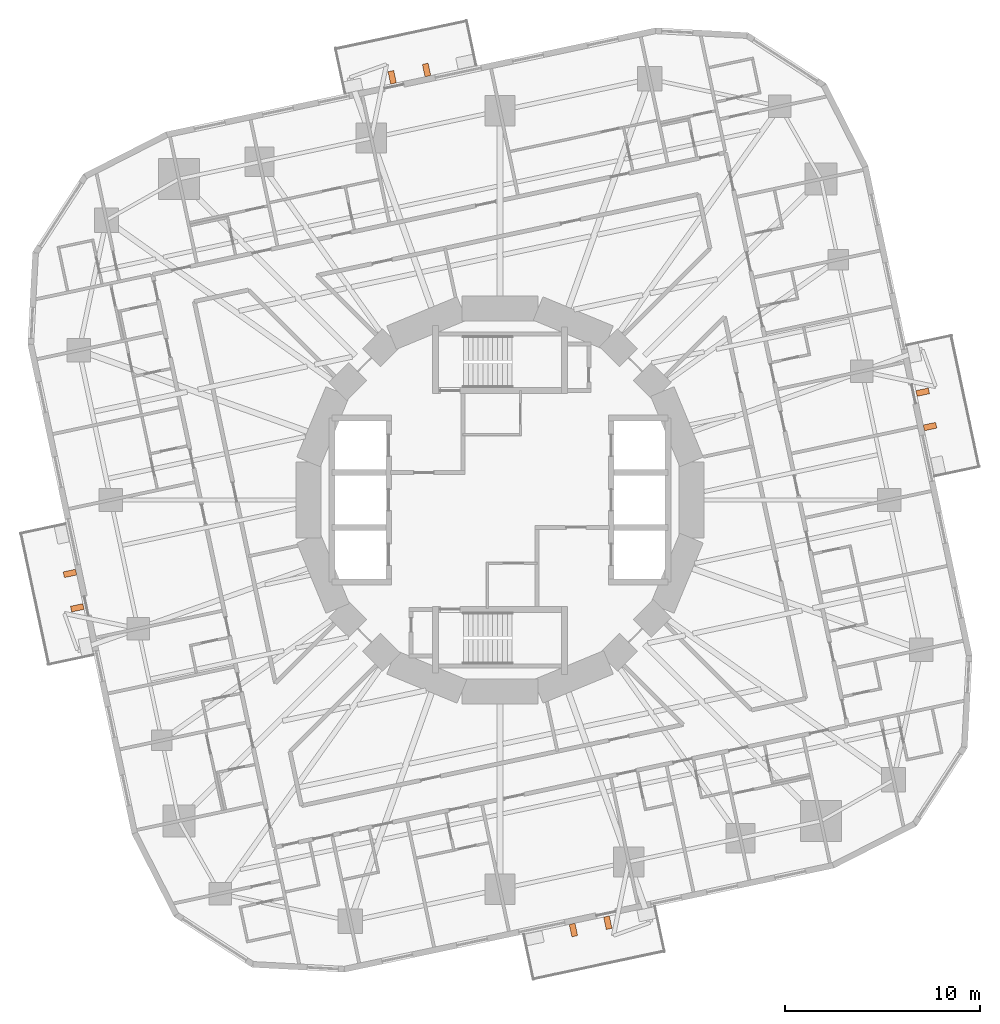
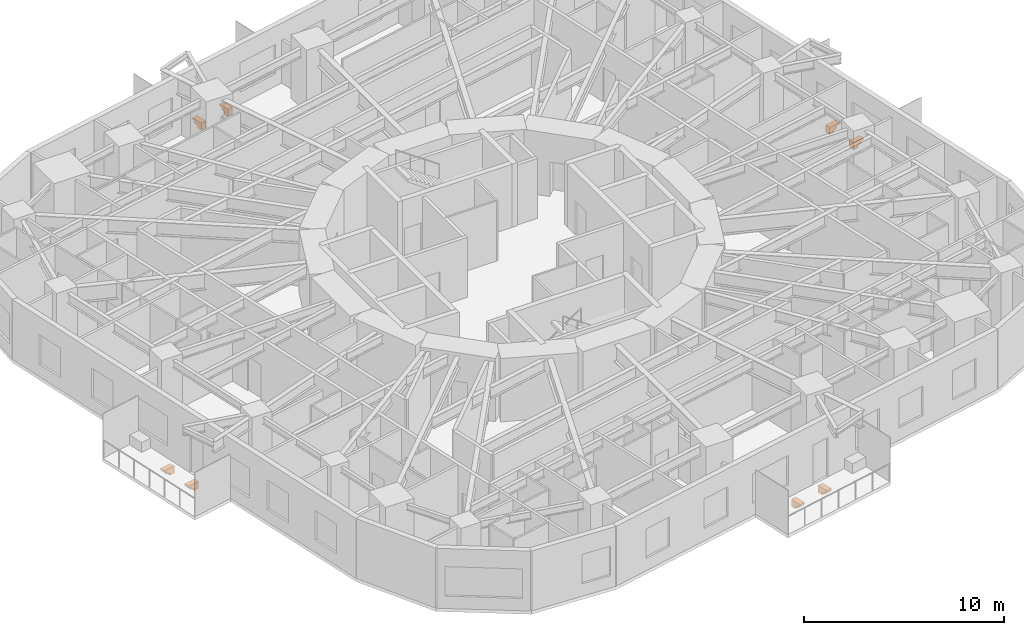
# One storey, part 14 of 14: 8 proxies.
"""IFC4 building model written with IfcOpenShell, lengths in metres."""

from ifc_helpers import new_model, si_unit, direction, frame, origin, place, context, subcontext, project, spatial, polyline, outline, extrude, material, type_object, element, save


model = new_model("IFC4")

# Units and contexts
model_context = context("Model", 3, precision=1e-05, world=origin(), true_north=direction((0.0, 1.0)))
body_context = subcontext(model_context, "Body", "Model", "MODEL_VIEW")
ifc_project = project(units=[si_unit("LENGTHUNIT", "METRE"), si_unit("AREAUNIT", "SQUARE_METRE"), si_unit("VOLUMEUNIT", "CUBIC_METRE"), si_unit("PLANEANGLEUNIT", "RADIAN"), si_unit("MASSUNIT", "GRAM", prefix="KILO")], contexts=[model_context])

# Site, building, storey
site_placement = place(None, origin())
site = spatial("IfcSite", under=ifc_project, at=site_placement, CompositionType="ELEMENT")
building_placement = place(site_placement, origin())
building = spatial("IfcBuilding", under=site, at=building_placement, Name="Nakasero Lantern House", CompositionType="ELEMENT")
storey_placement = place(building_placement, frame((0.0, 0.0, 124.25)))
storey = spatial("IfcBuildingStorey", under=building, at=storey_placement, Name="L30", CompositionType="ELEMENT", Elevation=124.25)

# Proxies
ifc_material = material(Name="Concrete C40/50 precast", Category="concrete")
building_element_proxy_type = type_object("IfcBuildingElementProxyType", Name="Balcony bracket 300", PredefinedType="USERDEFINED", material=ifc_material)
for number, where, z_axis, x_axis, name in (
    (1, (21.706298828125, 3.693603515625, -0.199951171875), (0.0, 0.0, 1.0), (0.978147601, 0.207911691, 0.0), "Balcony bracket L30 0A"),
    (2, (21.33203125, 5.454345703125, -0.199951171875), (0.0, 0.0, 1.0), (0.978147601, 0.207911691, 0.0), "Balcony bracket L30 0B"),
    (3, (-3.693603515625, 21.706298828125, -0.199951171875), (0.0, 0.0, 1.0), (-0.207911691, 0.978147601, 0.0), "Balcony bracket L30 1A"),
    (4, (-5.454345703125, 21.33203125, -0.199951171875), (0.0, 0.0, 1.0), (-0.207911691, 0.978147601, 0.0), "Balcony bracket L30 1B"),
    (5, (-21.706298828125, -3.693603515625, -0.199951171875), (0.0, 0.0, 1.0), (-0.978147601, -0.207911691, 0.0), "Balcony bracket L30 2A"),
    (6, (-21.33203125, -5.454345703125, -0.199951171875), (0.0, 0.0, 1.0), (-0.978147601, -0.207911691, 0.0), "Balcony bracket L30 2B"),
    (7, (3.693603515625, -21.706298828125, -0.199951171875), (0.0, 0.0, 1.0), (0.207911691, -0.978147601, 0.0), "Balcony bracket L30 3A"),
    (8, (5.454345703125, -21.33203125, -0.199951171875), (0.0, 0.0, 1.0), (0.207911691, -0.978147601, 0.0), "Balcony bracket L30 3B"),
):
    element("IfcBuildingElementProxy", number, at=place(storey_placement, frame(where, z_axis=z_axis, x_axis=x_axis)), inside=storey, type_object=building_element_proxy_type, Name=name, ObjectType="BALCONY BRACKET", PredefinedType="USERDEFINED", context=body_context, shape_type="SweptSolid", body=[
        extrude(outline(polyline([(0.0, 0.0), (0.64990234375, 0.0), (0.64990234375, -0.1201171875), (0.5, -0.1201171875), (0.5, -0.280029296875), (0.300048828125, -0.280029296875), (0.300048828125, -0.43994140625), (0.0, -0.43994140625), (0.0, 0.0)])), frame((0.0, 0.14990234375, 0.0), z_axis=(0.0, -1.0, 0.0), x_axis=(1.0, 0.0, 0.0)), (0.0, 0.0, 1.0), 0.300048828125),
    ])

save(model, "model.ifc")
